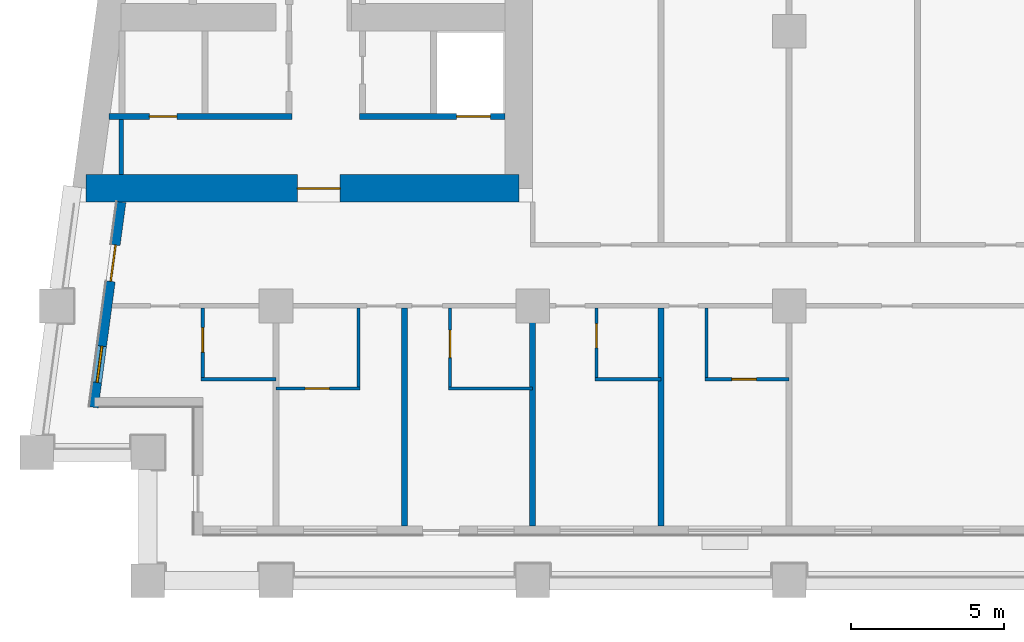
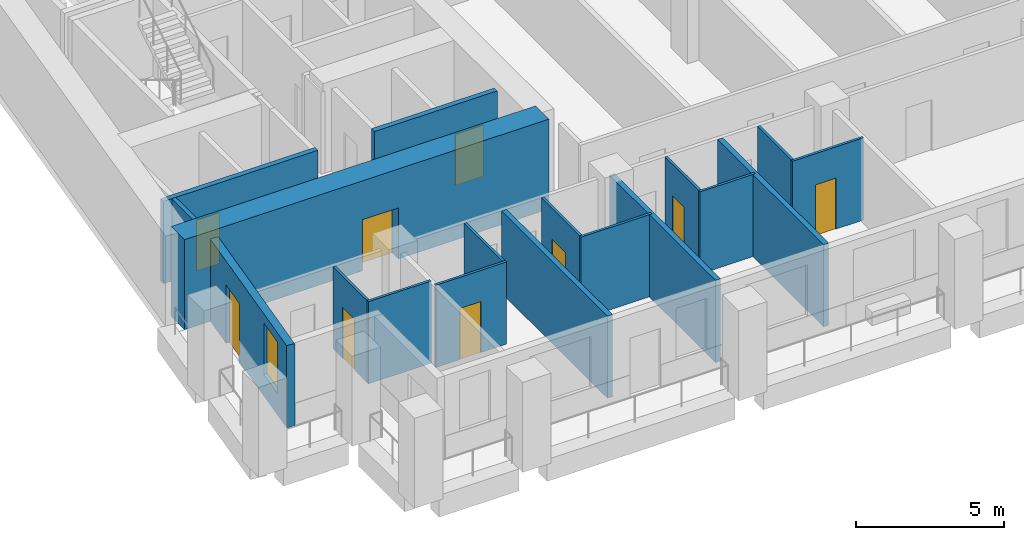
# One storey, part 2 of 13: 18 walls, 9 doors, 1 window, 10 openings.
"""IFC4 building model written with IfcOpenShell, lengths in metres."""

import ifcopenshell
import ifcopenshell.guid

model = None  # the IFC model being written
_history = None  # IfcOwnerHistory: only IFC2X3 demands one
_inside = {}  # id of a spatial element -> (the spatial element, [elements in it])
_under = {}  # id of a project, library or spatial element -> (it, [spatial elements below it])
_declared = {}  # id of a project -> (the project, [libraries it declares])
_typed = {}  # id of a type object -> (the type object, [elements of that type])
_made_of = {}  # id of a material, layer set ... -> (it, [elements and type objects made of it])


def new_model(schema):
    """Start an empty IFC model of exactly this schema.

    Asked for "IFC4X3", IfcOpenShell would pick the latest addendum, in which some entities
    have other attributes; the version numbers below select the first issue.
    IFC2X3 requires an IfcOwnerHistory on every rooted entity: one is made here for all.
    """
    global model, _history
    if schema == "IFC4X3":
        model = ifcopenshell.file(schema_version=(4, 3, 0, 0))
    else:
        model = ifcopenshell.file(schema=schema)
    _inside.clear()
    _under.clear()
    _declared.clear()
    _typed.clear()
    _made_of.clear()
    _history = None
    if model.schema == "IFC2X3":
        org = make("IfcOrganization", Name="unknown")
        user = make(
            "IfcPersonAndOrganization",
            ThePerson=make("IfcPerson", FamilyName="unknown"),
            TheOrganization=org,
        )
        app = make(
            "IfcApplication",
            ApplicationDeveloper=org,
            Version="unknown",
            ApplicationFullName="unknown",
            ApplicationIdentifier="unknown",
        )
        _history = make(
            "IfcOwnerHistory",
            OwningUser=user,
            OwningApplication=app,
            ChangeAction="ADDED",
            CreationDate=0,
        )
    return model


def make(cls, **values):
    """One entity of the class cls with the attributes given. An attribute that is None is left unset."""
    return model.create_entity(
        cls, **{name: value for name, value in values.items() if value is not None}
    )


def rooted(cls, **values):
    """An entity with a GlobalId (a new one), such as an element, a storey or a relation."""
    return make(cls, GlobalId=ifcopenshell.guid.new(), OwnerHistory=_history, **values)


def si_unit(unit_type, name, prefix=None):
    """IfcSIUnit, for example si_unit("LENGTHUNIT", "METRE", prefix="MILLI")."""
    return make("IfcSIUnit", UnitType=unit_type, Prefix=prefix, Name=name)


def assignment(units):
    """IfcUnitAssignment: the units of a project."""
    return None if units is None else make("IfcUnitAssignment", Units=units)


def point(xyz):
    """IfcCartesianPoint."""
    return None if xyz is None else make("IfcCartesianPoint", Coordinates=xyz)


def direction(xyz):
    """IfcDirection."""
    return None if xyz is None else make("IfcDirection", DirectionRatios=xyz)


def frame(location, z_axis=None, x_axis=None):
    """IfcAxis2Placement3D, a coordinate frame: its origin and axes. An axis left out is left unset."""
    return make(
        "IfcAxis2Placement3D",
        Location=point(location),
        Axis=direction(z_axis),
        RefDirection=direction(x_axis),
    )


def frame_2d(location, x_axis=None):
    """IfcAxis2Placement2D, a coordinate frame in the plane: its origin and x axis."""
    return make(
        "IfcAxis2Placement2D", Location=point(location), RefDirection=direction(x_axis)
    )


def origin():
    """The frame at (0, 0, 0) with its axes left unset."""
    return frame((0.0, 0.0, 0.0))


def place(relative_to, where):
    """IfcLocalPlacement: puts the frame where relative to a parent placement (None: the world)."""
    return make(
        "IfcLocalPlacement", PlacementRelTo=relative_to, RelativePlacement=where
    )


def context(
    kind, dimensions, precision=None, world=None, true_north=None, identifier=None
):
    """IfcGeometricRepresentationContext, for example the 3D "Model" context."""
    return make(
        "IfcGeometricRepresentationContext",
        ContextIdentifier=identifier,
        ContextType=kind,
        CoordinateSpaceDimension=dimensions,
        Precision=precision,
        WorldCoordinateSystem=world,
        TrueNorth=true_north,
    )


def subcontext(parent, identifier, kind, view, scale=None):
    """IfcGeometricRepresentationSubContext, for example "Body" below "Model"."""
    return make(
        "IfcGeometricRepresentationSubContext",
        ContextIdentifier=identifier,
        ContextType=kind,
        ParentContext=parent,
        TargetScale=scale,
        TargetView=view,
    )


def project(units=None, contexts=None):
    """IfcProject with its units and contexts."""
    return rooted(
        "IfcProject",
        Name="project",
        RepresentationContexts=contexts,
        UnitsInContext=assignment(units),
    )


def spatial(cls, under=None, at=None, **own):
    """A site, building, storey or space (cls), placed at a placement, below another one or the project."""
    s = rooted(cls, ObjectPlacement=at, **own)
    if under is not None:
        _under.setdefault(under.id(), (under, []))[1].append(s)
    return s


def profile(cls, at=None, kind="AREA", **sizes):
    """A parametric profile (cls). Its sizes go by their IFC names, for example OverallWidth=200.0."""
    return make(cls, ProfileType=kind, Position=at, **sizes)


def rectangle(**sizes):
    """IfcRectangleProfileDef."""
    return profile("IfcRectangleProfileDef", **sizes)


def extrude(swept, where, along, depth):
    """IfcExtrudedAreaSolid: the profile swept, set in the frame where, extruded along a direction by depth."""
    return make(
        "IfcExtrudedAreaSolid",
        SweptArea=swept,
        Position=where,
        ExtrudedDirection=direction(along),
        Depth=depth,
    )


def shape(context_of_items, identifier, shape_type, items):
    """IfcShapeRepresentation: the items that make up one representation, for example the "Body"."""
    return make(
        "IfcShapeRepresentation",
        ContextOfItems=context_of_items,
        RepresentationIdentifier=identifier,
        RepresentationType=shape_type,
        Items=items,
    )


def material(Name=None, Category=None):
    """IfcMaterial."""
    return make("IfcMaterial", Name=Name, Category=Category)


def layer(
    of_material, thickness, ventilated=None, Name=None, Category=None, Priority=None
):
    """IfcMaterialLayer: one layer of a wall or slab, of a material (None: an air gap)."""
    return make(
        "IfcMaterialLayer",
        Material=of_material,
        LayerThickness=thickness,
        IsVentilated=ventilated,
        Name=Name,
        Category=Category,
        Priority=Priority,
    )


def layer_set(layers, Name=None):
    """IfcMaterialLayerSet."""
    return make("IfcMaterialLayerSet", MaterialLayers=layers, LayerSetName=Name)


def made_of(thing, what):
    """Note that an element or type object is made of a material, layer set ...; save() writes the relation."""
    if what is not None:
        _made_of.setdefault(what.id(), (what, []))[1].append(thing)
    return thing


def type_object(cls, material=None, **own):
    """A type object (cls), such as IfcWallType, which elements share."""
    return made_of(rooted(cls, **own), material)


def element(
    cls,
    number,
    at=None,
    inside=None,
    cuts=None,
    type_object=None,
    material=None,
    context=None,
    identifier="Body",
    shape_type=None,
    held_by="IfcProductDefinitionShape",
    body=None,
    shapes=None,
    **own,
):
    """One element of the class cls, such as IfcWall. Its Tag is "e" and its number.

    at: its placement. inside: the storey or other place that contains it. cuts: it is an
    opening in that element (IfcRelVoidsElement). A single representation is given by context,
    identifier, shape_type and body (its items); several are given by shapes. held_by: the class
    of the entity that holds the representations. save() writes the other relations.
    """
    e = rooted(cls, Tag="e%d" % number, ObjectPlacement=at, **own)
    if body is not None:
        shapes = [shape(context, identifier, shape_type, body)]
    if shapes is not None:
        e.Representation = make(held_by, Representations=shapes)
    if inside is not None:
        _inside.setdefault(inside.id(), (inside, []))[1].append(e)
    if cuts is not None:
        rooted(
            "IfcRelVoidsElement", RelatingBuildingElement=cuts, RelatedOpeningElement=e
        )
    if type_object is not None:
        _typed.setdefault(type_object.id(), (type_object, []))[1].append(e)
    return made_of(e, material)


def fill(opening, filler):
    """IfcRelFillsElement: the door or window that sits in an opening."""
    return rooted(
        "IfcRelFillsElement",
        RelatingOpeningElement=opening,
        RelatedBuildingElement=filler,
    )


def aggregate(whole, parts):
    """IfcRelAggregates: a whole, such as a stair, and the parts it consists of."""
    return rooted("IfcRelAggregates", RelatingObject=whole, RelatedObjects=parts)


def save(model, path):
    """Write the relations noted so far, then the file.

    IfcRelAggregates (storeys below a building ...), IfcRelContainedInSpatialStructure (elements
    in a storey), IfcRelDefinesByType, IfcRelAssociatesMaterial and IfcRelDeclares: one each for
    every whole, place, type object, material and project.
    """
    for whole, parts in _under.values():
        aggregate(whole, parts)
    for where, things in _inside.values():
        rooted(
            "IfcRelContainedInSpatialStructure",
            RelatedElements=things,
            RelatingStructure=where,
        )
    for kind, things in _typed.values():
        rooted("IfcRelDefinesByType", RelatedObjects=things, RelatingType=kind)
    for what, things in _made_of.values():
        rooted("IfcRelAssociatesMaterial", RelatedObjects=things, RelatingMaterial=what)
    for by, libraries in _declared.values():
        rooted("IfcRelDeclares", RelatingContext=by, RelatedDefinitions=libraries)
    model.write(path)


model = new_model("IFC4")

# Units and contexts
model_context = context("Model", 3, precision=1e-05, world=origin(), true_north=direction((0.0, 1.0)))
body_context = subcontext(model_context, "Body", "Model", "MODEL_VIEW")
ifc_project = project(units=[si_unit("LENGTHUNIT", "METRE"), si_unit("AREAUNIT", "SQUARE_METRE"), si_unit("VOLUMEUNIT", "CUBIC_METRE"), si_unit("PLANEANGLEUNIT", "RADIAN"), si_unit("MASSUNIT", "GRAM", prefix="KILO")], contexts=[model_context])

# Site, building, storey
site_placement = place(None, origin())
site = spatial("IfcSite", under=ifc_project, at=site_placement, CompositionType="ELEMENT")
building_placement = place(site_placement, origin())
building = spatial("IfcBuilding", under=site, at=building_placement, Name="Candeia Pilgrim Tower and Theatre", CompositionType="ELEMENT")
storey_placement = place(building_placement, frame((0.0, 0.0, 181.10009765625)))
storey = spatial("IfcBuildingStorey", under=building, at=storey_placement, Name="L43", CompositionType="ELEMENT", Elevation=181.10009765625)

# Wall, opening, door
ifc_material_1 = material(Name="Concrete C60/75", Category="concrete")
ifc_layer_1 = layer(ifc_material_1, 0.89990234375)
ifc_layer_set_1 = layer_set([ifc_layer_1], Name="Core wall 900 C60/75")
wall_type_1 = type_object("IfcWallType", Name="Core wall 900 C60/75", PredefinedType="SHEAR", material=ifc_layer_set_1)
wall_1_placement = place(storey_placement, frame((100.35009765625, 110.85009765625, 0.0), z_axis=(0.0, 0.0, 1.0), x_axis=(-1.0, 0.0, 0.0)))
wall_1 = element("IfcWall", 1, at=wall_1_placement, inside=storey, type_object=wall_type_1, Name="Core wall W3", PredefinedType="SHEAR", context=body_context, shape_type="SweptSolid", body=[
    extrude(rectangle(XDim=14.166259765625, YDim=0.89990234375, at=frame_2d((7.0830078125, 0.0))), origin(), (0.0, 0.0, 1.0), 3.699951171875),
])
opening_1_placement = place(wall_1_placement, frame((5.854736328125, 0.0, 0.0)))
opening_1 = element("IfcOpeningElement", 2, at=opening_1_placement, cuts=wall_1, Name="Opening L43-D064", PredefinedType="OPENING", context=body_context, shape_type="SweptSolid", body=[
    extrude(rectangle(XDim=1.39990234375, YDim=2.10009765625, at=frame_2d((0.699951171875, 1.050048828125))), frame((0.0, 0.4599609375, 0.0), z_axis=(0.0, -1.0, 0.0), x_axis=(1.0, 0.0, 0.0)), (0.0, 0.0, 1.0), 0.919921875),
])
ifc_material_2 = material(Name="Steel fire door set", Category="steel")
door_type_1 = type_object("IfcDoorType", Name="D-1400-FD60", OperationType="NOTDEFINED", PredefinedType="DOOR", material=ifc_material_2)
door_1_placement = place(opening_1_placement, origin())
door_1 = element("IfcDoor", 3, at=door_1_placement, inside=storey, type_object=door_type_1, Name="Door L43-D064", OperationType="SINGLE_SWING_LEFT", OverallHeight=2.10009765625, OverallWidth=1.39990234375, PredefinedType="DOOR", context=body_context, shape_type="SweptSolid", body=[
    extrude(rectangle(XDim=1.39990234375, YDim=2.10009765625, at=frame_2d((0.699951171875, 1.050048828125))), frame((0.0, 0.02490234375, 0.0), z_axis=(0.0, -1.0, 0.0), x_axis=(1.0, 0.0, 0.0)), (0.0, 0.0, 1.0), 0.050048828125),
])
fill(opening_1, door_1)

# Wall, openings, door, window
ifc_material_3 = material(Name="Ceramic block masonry", Category="masonry")
ifc_layer_2 = layer(ifc_material_3, 0.300048828125)
ifc_layer_set_2 = layer_set([ifc_layer_2], Name="EW1 glazing-line wall 300")
wall_type_2 = type_object("IfcWallType", Name="EW1 glazing-line wall 300", PredefinedType="SOLIDWALL", material=ifc_layer_set_2)
wall_2_placement = place(storey_placement, frame((87.334228515625, 110.39990234375, 0.0), z_axis=(0.0, 0.0, 1.0), x_axis=(-0.133437175554, -0.991057273915, 0.0)))
wall_2 = element("IfcWall", 4, at=wall_2_placement, inside=storey, type_object=wall_type_2, Name="External wall L43-9.1", PredefinedType="SOLIDWALL", context=body_context, shape_type="SweptSolid", body=[
    extrude(rectangle(XDim=6.780517578125, YDim=0.300048828125, at=frame_2d((3.39013671875, 0.0))), origin(), (0.0, 0.0, 1.0), 3.3798828125),
])
opening_2_placement = place(wall_2_placement, frame((1.41796875, 0.0, 0.0)))
opening_2 = element("IfcOpeningElement", 5, at=opening_2_placement, cuts=wall_2, Name="Opening L43-ED418", PredefinedType="OPENING", context=body_context, shape_type="SweptSolid", body=[
    extrude(rectangle(XDim=1.199951171875, YDim=2.39990234375, at=frame_2d((0.60009765625, 1.199951171875))), frame((0.0, 0.16015625, 0.0), z_axis=(0.0, -1.0, 0.0), x_axis=(1.0, 0.0, 0.0)), (0.0, 0.0, 1.0), 0.320068359375),
])
opening_3_placement = place(wall_2_placement, frame((4.75830078125, 0.0, 0.89990234375)))
opening_3 = element("IfcOpeningElement", 6, at=opening_3_placement, cuts=wall_2, Name="Opening W-B", PredefinedType="OPENING", context=body_context, shape_type="SweptSolid", body=[
    extrude(rectangle(XDim=1.199951171875, YDim=2.10009765625, at=frame_2d((0.60009765625, 1.050048828125))), frame((0.0, 0.16015625, 0.0), z_axis=(0.0, -1.0, 0.0), x_axis=(1.0, 0.0, 0.0)), (0.0, 0.0, 1.0), 0.320068359375),
])
ifc_material_4 = material(Name="Aluminium framed glazed door", Category="aluminium")
door_type_2 = type_object("IfcDoorType", Name="Loggia door 1200x2400", OperationType="DOUBLE_DOOR_SINGLE_SWING", PredefinedType="DOOR", material=ifc_material_4)
door_2_placement = place(opening_2_placement, origin())
door_2 = element("IfcDoor", 7, at=door_2_placement, inside=storey, type_object=door_type_2, Name="Loggia door L43-ED418", OperationType="DOUBLE_DOOR_SINGLE_SWING", OverallHeight=2.39990234375, OverallWidth=1.199951171875, PredefinedType="DOOR", context=body_context, shape_type="SweptSolid", body=[
    extrude(rectangle(XDim=1.199951171875, YDim=2.39990234375, at=frame_2d((0.60009765625, 1.199951171875))), frame((0.0, 0.02490234375, 0.0), z_axis=(0.0, -1.0, 0.0), x_axis=(1.0, 0.0, 0.0)), (0.0, 0.0, 1.0), 0.050048828125),
])
fill(opening_2, door_2)
ifc_material_5 = material(Name="Aluminium framed double glazing", Category="aluminium")
window_type = type_object("IfcWindowType", Name="W-B window 1200x2100", PartitioningType="SINGLE_PANEL", PredefinedType="WINDOW", material=ifc_material_5)
window_placement = place(opening_3_placement, origin())
window = element("IfcWindow", 8, at=window_placement, inside=storey, type_object=window_type, Name="Window W-B L43", OverallHeight=2.10009765625, OverallWidth=1.199951171875, PartitioningType="SINGLE_PANEL", PredefinedType="WINDOW", context=body_context, shape_type="SweptSolid", body=[
    extrude(rectangle(XDim=1.199951171875, YDim=2.10009765625, at=frame_2d((0.60009765625, 1.050048828125))), frame((0.0, 0.030029296875, 0.0), z_axis=(0.0, -1.0, 0.0), x_axis=(1.0, 0.0, 0.0)), (0.0, 0.0, 1.0), 0.06005859375),
])
fill(opening_3, window)

# Wall, opening, door
ifc_material_6 = material(Name="Gypsum board partition on steel studs", Category="steel")
ifc_layer_3 = layer(ifc_material_6, 0.10009765625)
ifc_layer_set_3 = layer_set([ifc_layer_3], Name="PW-100 room partition")
wall_type_3 = type_object("IfcWallType", Name="PW-100 room partition", PredefinedType="PARTITIONING", material=ifc_layer_set_3)
wall_3_placement = place(storey_placement, frame((92.39990234375, 104.300048828125, 0.0), z_axis=(0.0, 0.0, 1.0), x_axis=(1.0, 0.0, 0.0)))
wall_3 = element("IfcWall", 9, at=wall_3_placement, inside=storey, type_object=wall_type_3, Name="Room partition L43-001", PredefinedType="PARTITIONING", context=body_context, shape_type="SweptSolid", body=[
    extrude(rectangle(XDim=2.75, YDim=0.10009765625, at=frame_2d((1.375, 0.0))), origin(), (0.0, 0.0, 1.0), 3.3798828125),
])
opening_4_placement = place(wall_3_placement, frame((0.949951171875, 0.0, 0.0)))
opening_4 = element("IfcOpeningElement", 10, at=opening_4_placement, cuts=wall_3, Name="Opening L43-D020", PredefinedType="OPENING", context=body_context, shape_type="SweptSolid", body=[
    extrude(rectangle(XDim=0.800048828125, YDim=2.10009765625, at=frame_2d((0.39990234375, 1.050048828125))), frame((0.0, 0.06005859375, 0.0), z_axis=(0.0, -1.0, 0.0), x_axis=(1.0, 0.0, 0.0)), (0.0, 0.0, 1.0), 0.1201171875),
])
ifc_material_7 = material(Name="Timber door leaf", Category="wood")
door_type_3 = type_object("IfcDoorType", Name="D-800", OperationType="NOTDEFINED", PredefinedType="DOOR", material=ifc_material_7)
door_3_placement = place(opening_4_placement, origin())
door_3 = element("IfcDoor", 11, at=door_3_placement, inside=storey, type_object=door_type_3, Name="Door L43-D020", OperationType="SINGLE_SWING_LEFT", OverallHeight=2.10009765625, OverallWidth=0.800048828125, PredefinedType="DOOR", context=body_context, shape_type="SweptSolid", body=[
    extrude(rectangle(XDim=0.800048828125, YDim=2.10009765625, at=frame_2d((0.39990234375, 1.050048828125))), frame((0.0, 0.02490234375, 0.0), z_axis=(0.0, -1.0, 0.0), x_axis=(1.0, 0.0, 0.0)), (0.0, 0.0, 1.0), 0.050048828125),
])
fill(opening_4, door_3)

# Walls
wall_4_placement = place(storey_placement, frame((98.050048828125, 104.300048828125, 0.0), z_axis=(0.0, 0.0, 1.0), x_axis=(1.0, 0.0, 0.0)))
element("IfcWall", 12, at=wall_4_placement, inside=storey, type_object=wall_type_3, Name="Room partition L43-002", PredefinedType="PARTITIONING", context=body_context, shape_type="SweptSolid", body=[
    extrude(rectangle(XDim=2.75, YDim=0.10009765625, at=frame_2d((1.375, 0.0))), origin(), (0.0, 0.0, 1.0), 3.3798828125),
])
wall_5_placement = place(storey_placement, frame((89.949951171875, 104.60009765625, 0.0), z_axis=(0.0, 0.0, 1.0), x_axis=(1.0, 0.0, 0.0)))
element("IfcWall", 13, at=wall_5_placement, inside=storey, type_object=wall_type_3, Name="Room partition L43-007", PredefinedType="PARTITIONING", context=body_context, shape_type="SweptSolid", body=[
    extrude(rectangle(XDim=2.449951171875, YDim=0.10009765625, at=frame_2d((1.22509765625, 0.0))), origin(), (0.0, 0.0, 1.0), 3.3798828125),
])
wall_6_placement = place(storey_placement, frame((102.85009765625, 104.60009765625, 0.0), z_axis=(0.0, 0.0, 1.0), x_axis=(1.0, 0.0, 0.0)))
element("IfcWall", 14, at=wall_6_placement, inside=storey, type_object=wall_type_3, Name="Room partition L43-008", PredefinedType="PARTITIONING", context=body_context, shape_type="SweptSolid", body=[
    extrude(rectangle(XDim=2.14990234375, YDim=0.10009765625, at=frame_2d((1.074951171875, 0.0))), origin(), (0.0, 0.0, 1.0), 3.3798828125),
])

# Wall, opening, door
wall_7_placement = place(storey_placement, frame((106.449951171875, 104.60009765625, 0.0), z_axis=(0.0, 0.0, 1.0), x_axis=(1.0, 0.0, 0.0)))
wall_7 = element("IfcWall", 15, at=wall_7_placement, inside=storey, type_object=wall_type_3, Name="Room partition L43-009", PredefinedType="PARTITIONING", context=body_context, shape_type="SweptSolid", body=[
    extrude(rectangle(XDim=2.75, YDim=0.10009765625, at=frame_2d((1.375, 0.0))), origin(), (0.0, 0.0, 1.0), 3.3798828125),
])
opening_5_placement = place(wall_7_placement, frame((0.8798828125, 0.0, 0.0)))
opening_5 = element("IfcOpeningElement", 16, at=opening_5_placement, cuts=wall_7, Name="Opening L43-D026", PredefinedType="OPENING", context=body_context, shape_type="SweptSolid", body=[
    extrude(rectangle(XDim=0.800048828125, YDim=2.10009765625, at=frame_2d((0.39990234375, 1.050048828125))), frame((0.0, 0.06005859375, 0.0), z_axis=(0.0, -1.0, 0.0), x_axis=(1.0, 0.0, 0.0)), (0.0, 0.0, 1.0), 0.1201171875),
])
door_4_placement = place(opening_5_placement, origin())
door_4 = element("IfcDoor", 17, at=door_4_placement, inside=storey, type_object=door_type_3, Name="Door L43-D026", OperationType="SINGLE_SWING_LEFT", OverallHeight=2.10009765625, OverallWidth=0.800048828125, PredefinedType="DOOR", context=body_context, shape_type="SweptSolid", body=[
    extrude(rectangle(XDim=0.800048828125, YDim=2.10009765625, at=frame_2d((0.39990234375, 1.050048828125))), frame((0.0, 0.02490234375, 0.0), z_axis=(0.0, -1.0, 0.0), x_axis=(1.0, 0.0, 0.0)), (0.0, 0.0, 1.0), 0.050048828125),
])
fill(opening_5, door_4)

wall_8_placement = place(storey_placement, frame((90.0, 104.64990234375, 0.0), z_axis=(0.0, 0.0, 1.0), x_axis=(0.0, 1.0, 0.0)))
wall_8 = element("IfcWall", 18, at=wall_8_placement, inside=storey, type_object=wall_type_3, Name="Room partition L43-056", PredefinedType="PARTITIONING", context=body_context, shape_type="SweptSolid", body=[
    extrude(rectangle(XDim=2.275146484375, YDim=0.10009765625, at=frame_2d((1.1376953125, 0.0))), origin(), (0.0, 0.0, 1.0), 3.3798828125),
])
opening_6_placement = place(wall_8_placement, frame((0.840087890625, 0.0, 0.0)))
opening_6 = element("IfcOpeningElement", 19, at=opening_6_placement, cuts=wall_8, Name="Opening L43-D018", PredefinedType="OPENING", context=body_context, shape_type="SweptSolid", body=[
    extrude(rectangle(XDim=0.800048828125, YDim=2.10009765625, at=frame_2d((0.39990234375, 1.050048828125))), frame((0.0, 0.06005859375, 0.0), z_axis=(0.0, -1.0, 0.0), x_axis=(1.0, 0.0, 0.0)), (0.0, 0.0, 1.0), 0.1201171875),
])
door_5_placement = place(opening_6_placement, origin())
door_5 = element("IfcDoor", 20, at=door_5_placement, inside=storey, type_object=door_type_3, Name="Door L43-D018", OperationType="SINGLE_SWING_LEFT", OverallHeight=2.10009765625, OverallWidth=0.800048828125, PredefinedType="DOOR", context=body_context, shape_type="SweptSolid", body=[
    extrude(rectangle(XDim=0.800048828125, YDim=2.10009765625, at=frame_2d((0.39990234375, 1.050048828125))), frame((0.0, 0.02490234375, 0.0), z_axis=(0.0, -1.0, 0.0), x_axis=(1.0, 0.0, 0.0)), (0.0, 0.0, 1.0), 0.050048828125),
])
fill(opening_6, door_5)

# Wall
wall_9_placement = place(storey_placement, frame((95.10009765625, 104.35009765625, 0.0), z_axis=(0.0, 0.0, 1.0), x_axis=(0.0, 1.0, 0.0)))
element("IfcWall", 21, at=wall_9_placement, inside=storey, type_object=wall_type_3, Name="Room partition L43-066", PredefinedType="PARTITIONING", context=body_context, shape_type="SweptSolid", body=[
    extrude(rectangle(XDim=2.574951171875, YDim=0.10009765625, at=frame_2d((1.28759765625, 0.0))), origin(), (0.0, 0.0, 1.0), 3.3798828125),
])

# Wall, opening, door
wall_10_placement = place(storey_placement, frame((98.10009765625, 104.35009765625, 0.0), z_axis=(0.0, 0.0, 1.0), x_axis=(0.0, 1.0, 0.0)))
wall_10 = element("IfcWall", 22, at=wall_10_placement, inside=storey, type_object=wall_type_3, Name="Room partition L43-075", PredefinedType="PARTITIONING", context=body_context, shape_type="SweptSolid", body=[
    extrude(rectangle(XDim=2.574951171875, YDim=0.10009765625, at=frame_2d((1.28759765625, 0.0))), origin(), (0.0, 0.0, 1.0), 3.3798828125),
])
opening_7_placement = place(wall_10_placement, frame((0.9599609375, 0.0, 0.0)))
opening_7 = element("IfcOpeningElement", 23, at=opening_7_placement, cuts=wall_10, Name="Opening L43-D022", PredefinedType="OPENING", context=body_context, shape_type="SweptSolid", body=[
    extrude(rectangle(XDim=0.89990234375, YDim=2.10009765625, at=frame_2d((0.449951171875, 1.050048828125))), frame((0.0, 0.06005859375, 0.0), z_axis=(0.0, -1.0, 0.0), x_axis=(1.0, 0.0, 0.0)), (0.0, 0.0, 1.0), 0.1201171875),
])
door_type_4 = type_object("IfcDoorType", Name="D-900", OperationType="NOTDEFINED", PredefinedType="DOOR", material=ifc_material_7)
door_6_placement = place(opening_7_placement, origin())
door_6 = element("IfcDoor", 24, at=door_6_placement, inside=storey, type_object=door_type_4, Name="Door L43-D022", OperationType="SINGLE_SWING_LEFT", OverallHeight=2.10009765625, OverallWidth=0.89990234375, PredefinedType="DOOR", context=body_context, shape_type="SweptSolid", body=[
    extrude(rectangle(XDim=0.89990234375, YDim=2.10009765625, at=frame_2d((0.449951171875, 1.050048828125))), frame((0.0, 0.02490234375, 0.0), z_axis=(0.0, -1.0, 0.0), x_axis=(1.0, 0.0, 0.0)), (0.0, 0.0, 1.0), 0.050048828125),
])
fill(opening_7, door_6)

wall_11_placement = place(storey_placement, frame((102.89990234375, 104.64990234375, 0.0), z_axis=(0.0, 0.0, 1.0), x_axis=(0.0, 1.0, 0.0)))
wall_11 = element("IfcWall", 25, at=wall_11_placement, inside=storey, type_object=wall_type_3, Name="Room partition L43-080", PredefinedType="PARTITIONING", context=body_context, shape_type="SweptSolid", body=[
    extrude(rectangle(XDim=2.275146484375, YDim=0.10009765625, at=frame_2d((1.1376953125, 0.0))), origin(), (0.0, 0.0, 1.0), 3.3798828125),
])
opening_8_placement = place(wall_11_placement, frame((0.97509765625, 0.0, 0.0)))
opening_8 = element("IfcOpeningElement", 26, at=opening_8_placement, cuts=wall_11, Name="Opening L43-D024", PredefinedType="OPENING", context=body_context, shape_type="SweptSolid", body=[
    extrude(rectangle(XDim=0.800048828125, YDim=2.10009765625, at=frame_2d((0.39990234375, 1.050048828125))), frame((0.0, 0.06005859375, 0.0), z_axis=(0.0, -1.0, 0.0), x_axis=(1.0, 0.0, 0.0)), (0.0, 0.0, 1.0), 0.1201171875),
])
door_7_placement = place(opening_8_placement, origin())
door_7 = element("IfcDoor", 27, at=door_7_placement, inside=storey, type_object=door_type_3, Name="Door L43-D024", OperationType="SINGLE_SWING_LEFT", OverallHeight=2.10009765625, OverallWidth=0.800048828125, PredefinedType="DOOR", context=body_context, shape_type="SweptSolid", body=[
    extrude(rectangle(XDim=0.800048828125, YDim=2.10009765625, at=frame_2d((0.39990234375, 1.050048828125))), frame((0.0, 0.02490234375, 0.0), z_axis=(0.0, -1.0, 0.0), x_axis=(1.0, 0.0, 0.0)), (0.0, 0.0, 1.0), 0.050048828125),
])
fill(opening_8, door_7)

# Walls
wall_12_placement = place(storey_placement, frame((106.5, 104.64990234375, 0.0), z_axis=(0.0, 0.0, 1.0), x_axis=(0.0, 1.0, 0.0)))
element("IfcWall", 28, at=wall_12_placement, inside=storey, type_object=wall_type_3, Name="Room partition L43-084", PredefinedType="PARTITIONING", context=body_context, shape_type="SweptSolid", body=[
    extrude(rectangle(XDim=2.275146484375, YDim=0.10009765625, at=frame_2d((1.1376953125, 0.0))), origin(), (0.0, 0.0, 1.0), 3.3798828125),
])
ifc_layer_4 = layer(ifc_material_6, 0.14990234375)
ifc_layer_set_4 = layer_set([ifc_layer_4], Name="PW-150 lobby wall")
wall_type_4 = type_object("IfcWallType", Name="PW-150 lobby wall", PredefinedType="PARTITIONING", material=ifc_layer_set_4)
wall_13_placement = place(storey_placement, frame((87.327880859375, 111.300048828125, 0.0), z_axis=(0.0, 0.0, 1.0), x_axis=(0.0, 1.0, 0.0)))
element("IfcWall", 29, at=wall_13_placement, inside=storey, type_object=wall_type_4, Name="Lobby wall L43-053", PredefinedType="PARTITIONING", context=body_context, shape_type="SweptSolid", body=[
    extrude(rectangle(XDim=1.800048828125, YDim=0.14990234375, at=frame_2d((0.89990234375, 0.0))), origin(), (0.0, 0.0, 1.0), 3.3798828125),
])
ifc_layer_5 = layer(ifc_material_6, 0.199951171875)
ifc_layer_set_5 = layer_set([ifc_layer_5], Name="PW-200 party wall")
wall_type_5 = type_object("IfcWallType", Name="PW-200 party wall", PredefinedType="PARTITIONING", material=ifc_layer_set_5)
for number, where, z_axis, x_axis, name in (
    (30, (96.60009765625, 99.7900390625, 0.0), (0.0, 0.0, 1.0), (0.0, 1.0, 0.0), "Party wall L43-070"),
    (31, (100.800048828125, 99.7900390625, 0.0), (0.0, 0.0, 1.0), (0.0, 1.0, 0.0), "Party wall L43-076"),
    (32, (105.0, 99.7900390625, 0.0), (0.0, 0.0, 1.0), (0.0, 1.0, 0.0), "Party wall L43-081"),
):
    element("IfcWall", number, at=place(storey_placement, frame(where, z_axis=z_axis, x_axis=x_axis)), inside=storey, type_object=wall_type_5, Name=name, PredefinedType="PARTITIONING", context=body_context, shape_type="SweptSolid", body=[
        extrude(rectangle(XDim=7.135009765625, YDim=0.199951171875, at=frame_2d((3.5673828125, 0.0))), origin(), (0.0, 0.0, 1.0), 3.3798828125),
    ])

# Wall, opening, door
ifc_material_8 = material(Name="Concrete C40/50", Category="concrete")
ifc_layer_6 = layer(ifc_material_8, 0.199951171875)
ifc_layer_set_6 = layer_set([ifc_layer_6], Name="SW-200 shaft wall")
wall_type_6 = type_object("IfcWallType", Name="SW-200 shaft wall", PredefinedType="PARTITIONING", material=ifc_layer_set_6)
wall_14_placement = place(storey_placement, frame((86.92431640625, 113.199951171875, 0.0), z_axis=(0.0, 0.0, 1.0), x_axis=(1.0, 0.0, 0.0)))
wall_14 = element("IfcWall", 33, at=wall_14_placement, inside=storey, type_object=wall_type_6, Name="Shaft wall L43-013", PredefinedType="PARTITIONING", context=body_context, shape_type="SweptSolid", body=[
    extrude(rectangle(XDim=6.002685546875, YDim=0.199951171875, at=frame_2d((3.00146484375, 0.0))), origin(), (0.0, 0.0, 1.0), 3.3798828125),
])
opening_9_placement = place(wall_14_placement, frame((1.32861328125, 0.0, 0.0)))
opening_9 = element("IfcOpeningElement", 34, at=opening_9_placement, cuts=wall_14, Name="Opening L43-D007", PredefinedType="OPENING", context=body_context, shape_type="SweptSolid", body=[
    extrude(rectangle(XDim=0.89990234375, YDim=2.10009765625, at=frame_2d((0.449951171875, 1.050048828125))), frame((0.0, 0.10986328125, 0.0), z_axis=(0.0, -1.0, 0.0), x_axis=(1.0, 0.0, 0.0)), (0.0, 0.0, 1.0), 0.219970703125),
])
door_type_5 = type_object("IfcDoorType", Name="D-900-FD60", OperationType="NOTDEFINED", PredefinedType="DOOR", material=ifc_material_2)
door_8_placement = place(opening_9_placement, origin())
door_8 = element("IfcDoor", 35, at=door_8_placement, inside=storey, type_object=door_type_5, Name="Door L43-D007", OperationType="SINGLE_SWING_LEFT", OverallHeight=2.10009765625, OverallWidth=0.89990234375, PredefinedType="DOOR", context=body_context, shape_type="SweptSolid", body=[
    extrude(rectangle(XDim=0.89990234375, YDim=2.10009765625, at=frame_2d((0.449951171875, 1.050048828125))), frame((0.0, 0.02490234375, 0.0), z_axis=(0.0, -1.0, 0.0), x_axis=(1.0, 0.0, 0.0)), (0.0, 0.0, 1.0), 0.050048828125),
])
fill(opening_9, door_8)

wall_15_placement = place(storey_placement, frame((95.126953125, 113.199951171875, 0.0), z_axis=(0.0, 0.0, 1.0), x_axis=(1.0, 0.0, 0.0)))
wall_15 = element("IfcWall", 36, at=wall_15_placement, inside=storey, type_object=wall_type_6, Name="Shaft wall L43-014", PredefinedType="PARTITIONING", context=body_context, shape_type="SweptSolid", body=[
    extrude(rectangle(XDim=4.77294921875, YDim=0.199951171875, at=frame_2d((2.386474609375, 0.0))), origin(), (0.0, 0.0, 1.0), 3.3798828125),
])
opening_10_placement = place(wall_15_placement, frame((3.18896484375, 0.0, 0.0)))
opening_10 = element("IfcOpeningElement", 37, at=opening_10_placement, cuts=wall_15, Name="Opening L43-LD03", PredefinedType="OPENING", context=body_context, shape_type="SweptSolid", body=[
    extrude(rectangle(XDim=1.10009765625, YDim=2.10009765625, at=frame_2d((0.550048828125, 1.050048828125))), frame((0.0, 0.10986328125, 0.0), z_axis=(0.0, -1.0, 0.0), x_axis=(1.0, 0.0, 0.0)), (0.0, 0.0, 1.0), 0.219970703125),
])
ifc_material_9 = material(Name="Glazed aluminium landing door", Category="aluminium")
door_type_6 = type_object("IfcDoorType", Name="LD-1100-EI120", OperationType="SLIDING_TO_LEFT", PredefinedType="DOOR", material=ifc_material_9)
door_9_placement = place(opening_10_placement, origin())
door_9 = element("IfcDoor", 38, at=door_9_placement, inside=storey, type_object=door_type_6, Name="Landing door 03 L43", OperationType="SLIDING_TO_LEFT", OverallHeight=2.10009765625, OverallWidth=1.10009765625, PredefinedType="DOOR", context=body_context, shape_type="SweptSolid", body=[
    extrude(rectangle(XDim=1.10009765625, YDim=2.10009765625, at=frame_2d((0.550048828125, 1.050048828125))), frame((0.0, 0.02490234375, 0.0), z_axis=(0.0, -1.0, 0.0), x_axis=(1.0, 0.0, 0.0)), (0.0, 0.0, 1.0), 0.050048828125),
])
fill(opening_10, door_9)

save(model, "model.ifc")
